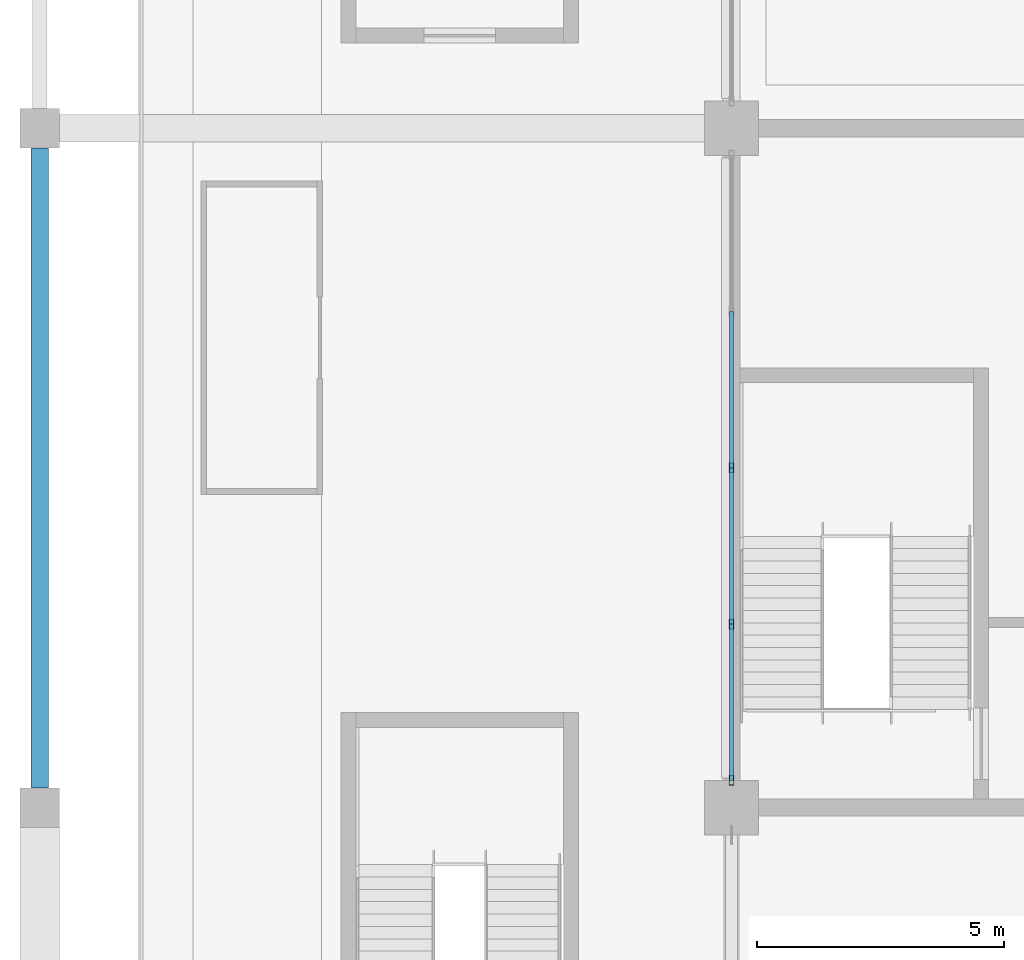
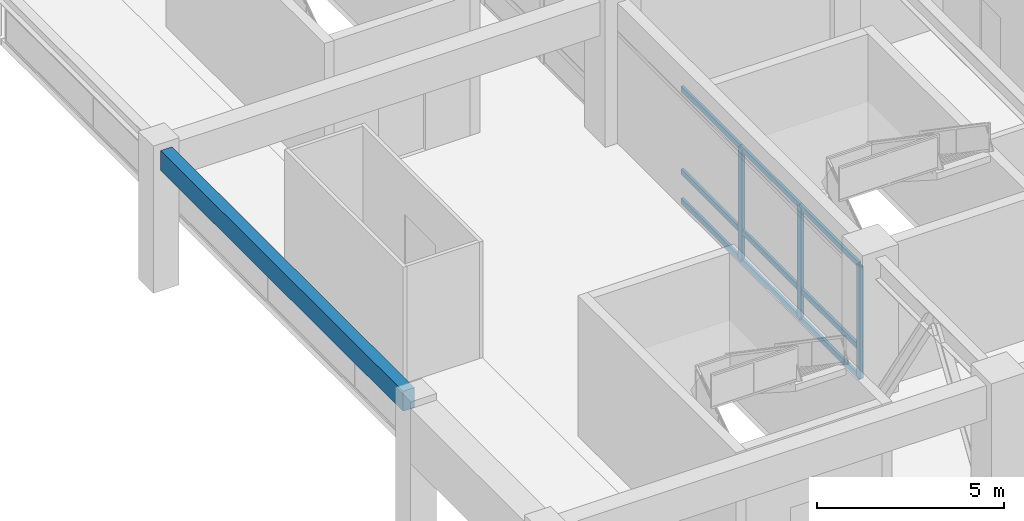
# One storey, part 20 of 91: 12 members, 1 beam, 1 element without a shape of its own.
"""IFC4 building model written with IfcOpenShell, lengths in metres."""

from ifc_helpers import new_model, si_unit, direction, frame, origin, origin_2d, place, context, subcontext, project, spatial, rectangle, hollow_rectangle, extrude, material, material_profile, profile_set, type_object, element, aggregate, save


model = new_model("IFC4")

# Units and contexts
model_context = context("Model", 3, precision=1e-05, world=origin(), true_north=direction((0.0, 1.0)))
body_context = subcontext(model_context, "Body", "Model", "MODEL_VIEW")
ifc_project = project(units=[si_unit("LENGTHUNIT", "METRE"), si_unit("AREAUNIT", "SQUARE_METRE"), si_unit("VOLUMEUNIT", "CUBIC_METRE"), si_unit("PLANEANGLEUNIT", "RADIAN"), si_unit("MASSUNIT", "GRAM", prefix="KILO")], contexts=[model_context])

# Site, building, storey
site_placement = place(None, origin())
site = spatial("IfcSite", under=ifc_project, at=site_placement, CompositionType="ELEMENT")
building_placement = place(site_placement, origin())
building = spatial("IfcBuilding", under=site, at=building_placement, Name="Linyun Crest Stadium", CompositionType="ELEMENT")
storey_placement = place(building_placement, frame((0.0, 0.0, 11.39990234375)))
storey = spatial("IfcBuildingStorey", under=building, at=storey_placement, Name="L03", CompositionType="ELEMENT", Elevation=11.39990234375)

# Beam
ifc_material_1 = material(Name="Concrete C40", Category="concrete")
ifc_material_profile_1 = material_profile(ifc_material_1, rectangle(XDim=0.35009765625, YDim=0.64990234375, at=origin_2d()), Name="RCB 650x350")
ifc_profile_set_1 = profile_set([ifc_material_profile_1], Name="Concrete C40")
beam_type = type_object("IfcBeamType", Name="B02", PredefinedType="BEAM", material=ifc_profile_set_1)
beam_placement = place(storey_placement, frame((-98.0, -38.72509765625, 4.255126953125), z_axis=(0.0, 1.0, 0.0), x_axis=(-1.0, 0.0, 0.0)))
element("IfcBeam", 1, at=beam_placement, inside=storey, type_object=beam_type, Name="Frame beam B02 L03 264", PredefinedType="BEAM", context=body_context, shape_type="SweptSolid", body=[
    extrude(rectangle(XDim=0.35009765625, YDim=0.64990234375, at=origin_2d()), origin(), (0.0, 0.0, 1.0), 12.9501953125),
])

# Curtain wall, members
ifc_material_2 = material(Name="Verdigris steel and low-E curtain wall assembly", Category="steel")
curtain_wall_type = type_object("IfcCurtainWallType", Name="MCW02", PredefinedType="NOTDEFINED", material=ifc_material_2)
curtain_wall_placement = place(storey_placement, origin())
curtain_wall = element("IfcCurtainWall", 2, at=curtain_wall_placement, inside=storey, type_object=curtain_wall_type, Name="CWR-074", PredefinedType="NOTDEFINED")
ifc_material_3 = material(Name="Verdigris painted steel Q355C mullion", Category="steel")
ifc_material_profile_2 = material_profile(ifc_material_3, hollow_rectangle(XDim=0.10009765625, YDim=0.199951171875, WallThickness=0.008056640625, at=origin_2d()), Name="RHS 200x100x8")
ifc_profile_set_2 = profile_set([ifc_material_profile_2], Name="Verdigris painted steel Q355C mullion")
member_type_1 = type_object("IfcMemberType", Name="ML03", PredefinedType="MULLION", material=ifc_profile_set_2)
member_1_placement = place(storey_placement, frame((-84.0, -38.574951171875, 0.0), z_axis=(0.0, 0.0, 1.0), x_axis=(-1.0, 0.0, 0.0)))
member_1 = element("IfcMember", 3, at=member_1_placement, type_object=member_type_1, Name="CWR-074 mullion 1", PredefinedType="MULLION", context=body_context, shape_type="SweptSolid", body=[
    extrude(hollow_rectangle(XDim=0.10009765625, YDim=0.199951171875, WallThickness=0.008056640625, at=origin_2d()), origin(), (0.0, 0.0, 1.0), 3.650146484375),
])
member_2_placement = place(storey_placement, frame((-84.0, -35.412109375, 0.0), z_axis=(0.0, 0.0, 1.0), x_axis=(-1.0, 0.0, 0.0)))
member_2 = element("IfcMember", 4, at=member_2_placement, type_object=member_type_1, Name="CWR-074 mullion 2", PredefinedType="MULLION", context=body_context, shape_type="SweptSolid", body=[
    extrude(hollow_rectangle(XDim=0.10009765625, YDim=0.199951171875, WallThickness=0.008056640625, at=origin_2d()), origin(), (0.0, 0.0, 1.0), 3.650146484375),
])
member_3_placement = place(storey_placement, frame((-84.0, -32.25, 0.0), z_axis=(0.0, 0.0, 1.0), x_axis=(-1.0, 0.0, 0.0)))
member_3 = element("IfcMember", 5, at=member_3_placement, type_object=member_type_1, Name="CWR-074 mullion 3", PredefinedType="MULLION", context=body_context, shape_type="SweptSolid", body=[
    extrude(hollow_rectangle(XDim=0.10009765625, YDim=0.199951171875, WallThickness=0.008056640625, at=origin_2d()), origin(), (0.0, 0.0, 1.0), 3.650146484375),
])
ifc_material_4 = material(Name="Verdigris painted steel Q355B transom", Category="steel")
ifc_material_profile_3 = material_profile(ifc_material_4, hollow_rectangle(XDim=0.080078125, YDim=0.179931640625, WallThickness=0.006103515625, at=origin_2d()), Name="RHS 180x80x6")
ifc_profile_set_3 = profile_set([ifc_material_profile_3], Name="Verdigris painted steel Q355B transom")
member_type_2 = type_object("IfcMemberType", Name="TR02", PredefinedType="USERDEFINED", material=ifc_profile_set_3)
member_4_placement = place(storey_placement, frame((-84.0, -38.574951171875, 0.0), z_axis=(0.0, 1.0, 0.0), x_axis=(-1.0, 0.0, 0.0)))
member_4 = element("IfcMember", 6, at=member_4_placement, type_object=member_type_2, Name="CWR-074 transom 1.1", ObjectType="TRANSOM", PredefinedType="USERDEFINED", context=body_context, shape_type="SweptSolid", body=[
    extrude(hollow_rectangle(XDim=0.080078125, YDim=0.179931640625, WallThickness=0.006103515625, at=origin_2d()), origin(), (0.0, 0.0, 1.0), 3.162841796875),
])
member_5_placement = place(storey_placement, frame((-84.0, -38.574951171875, 0.9501953125), z_axis=(0.0, 1.0, 0.0), x_axis=(-1.0, 0.0, 0.0)))
member_5 = element("IfcMember", 7, at=member_5_placement, type_object=member_type_2, Name="CWR-074 transom 1.2", ObjectType="TRANSOM", PredefinedType="USERDEFINED", context=body_context, shape_type="SweptSolid", body=[
    extrude(hollow_rectangle(XDim=0.080078125, YDim=0.179931640625, WallThickness=0.006103515625, at=origin_2d()), origin(), (0.0, 0.0, 1.0), 3.162841796875),
])
member_6_placement = place(storey_placement, frame((-84.0, -38.574951171875, 3.650146484375), z_axis=(0.0, 1.0, 0.0), x_axis=(-1.0, 0.0, 0.0)))
member_6 = element("IfcMember", 8, at=member_6_placement, type_object=member_type_2, Name="CWR-074 transom 1.3", ObjectType="TRANSOM", PredefinedType="USERDEFINED", context=body_context, shape_type="SweptSolid", body=[
    extrude(hollow_rectangle(XDim=0.080078125, YDim=0.179931640625, WallThickness=0.006103515625, at=origin_2d()), origin(), (0.0, 0.0, 1.0), 3.162841796875),
])
member_7_placement = place(storey_placement, frame((-84.0, -35.412109375, 0.0), z_axis=(0.0, 1.0, 0.0), x_axis=(-1.0, 0.0, 0.0)))
member_7 = element("IfcMember", 9, at=member_7_placement, type_object=member_type_2, Name="CWR-074 transom 2.1", ObjectType="TRANSOM", PredefinedType="USERDEFINED", context=body_context, shape_type="SweptSolid", body=[
    extrude(hollow_rectangle(XDim=0.080078125, YDim=0.179931640625, WallThickness=0.006103515625, at=origin_2d()), origin(), (0.0, 0.0, 1.0), 3.162109375),
])
member_8_placement = place(storey_placement, frame((-84.0, -35.412109375, 0.9501953125), z_axis=(0.0, 1.0, 0.0), x_axis=(-1.0, 0.0, 0.0)))
member_8 = element("IfcMember", 10, at=member_8_placement, type_object=member_type_2, Name="CWR-074 transom 2.2", ObjectType="TRANSOM", PredefinedType="USERDEFINED", context=body_context, shape_type="SweptSolid", body=[
    extrude(hollow_rectangle(XDim=0.080078125, YDim=0.179931640625, WallThickness=0.006103515625, at=origin_2d()), origin(), (0.0, 0.0, 1.0), 3.162109375),
])
member_9_placement = place(storey_placement, frame((-84.0, -35.412109375, 3.650146484375), z_axis=(0.0, 1.0, 0.0), x_axis=(-1.0, 0.0, 0.0)))
member_9 = element("IfcMember", 11, at=member_9_placement, type_object=member_type_2, Name="CWR-074 transom 2.3", ObjectType="TRANSOM", PredefinedType="USERDEFINED", context=body_context, shape_type="SweptSolid", body=[
    extrude(hollow_rectangle(XDim=0.080078125, YDim=0.179931640625, WallThickness=0.006103515625, at=origin_2d()), origin(), (0.0, 0.0, 1.0), 3.162109375),
])
member_10_placement = place(storey_placement, frame((-84.0, -32.25, 0.0), z_axis=(0.0, 1.0, 0.0), x_axis=(-1.0, 0.0, 0.0)))
member_10 = element("IfcMember", 12, at=member_10_placement, type_object=member_type_2, Name="CWR-074 transom 3.1", ObjectType="TRANSOM", PredefinedType="USERDEFINED", context=body_context, shape_type="SweptSolid", body=[
    extrude(hollow_rectangle(XDim=0.080078125, YDim=0.179931640625, WallThickness=0.006103515625, at=origin_2d()), origin(), (0.0, 0.0, 1.0), 3.162109375),
])
member_11_placement = place(storey_placement, frame((-84.0, -32.25, 0.9501953125), z_axis=(0.0, 1.0, 0.0), x_axis=(-1.0, 0.0, 0.0)))
member_11 = element("IfcMember", 13, at=member_11_placement, type_object=member_type_2, Name="CWR-074 transom 3.2", ObjectType="TRANSOM", PredefinedType="USERDEFINED", context=body_context, shape_type="SweptSolid", body=[
    extrude(hollow_rectangle(XDim=0.080078125, YDim=0.179931640625, WallThickness=0.006103515625, at=origin_2d()), origin(), (0.0, 0.0, 1.0), 3.162109375),
])
member_12_placement = place(storey_placement, frame((-84.0, -32.25, 3.650146484375), z_axis=(0.0, 1.0, 0.0), x_axis=(-1.0, 0.0, 0.0)))
member_12 = element("IfcMember", 14, at=member_12_placement, type_object=member_type_2, Name="CWR-074 transom 3.3", ObjectType="TRANSOM", PredefinedType="USERDEFINED", context=body_context, shape_type="SweptSolid", body=[
    extrude(hollow_rectangle(XDim=0.080078125, YDim=0.179931640625, WallThickness=0.006103515625, at=origin_2d()), origin(), (0.0, 0.0, 1.0), 3.162109375),
])
aggregate(curtain_wall, [member_1, member_2, member_3, member_4, member_5, member_6, member_7, member_8, member_9, member_10, member_11, member_12])

save(model, "model.ifc")
